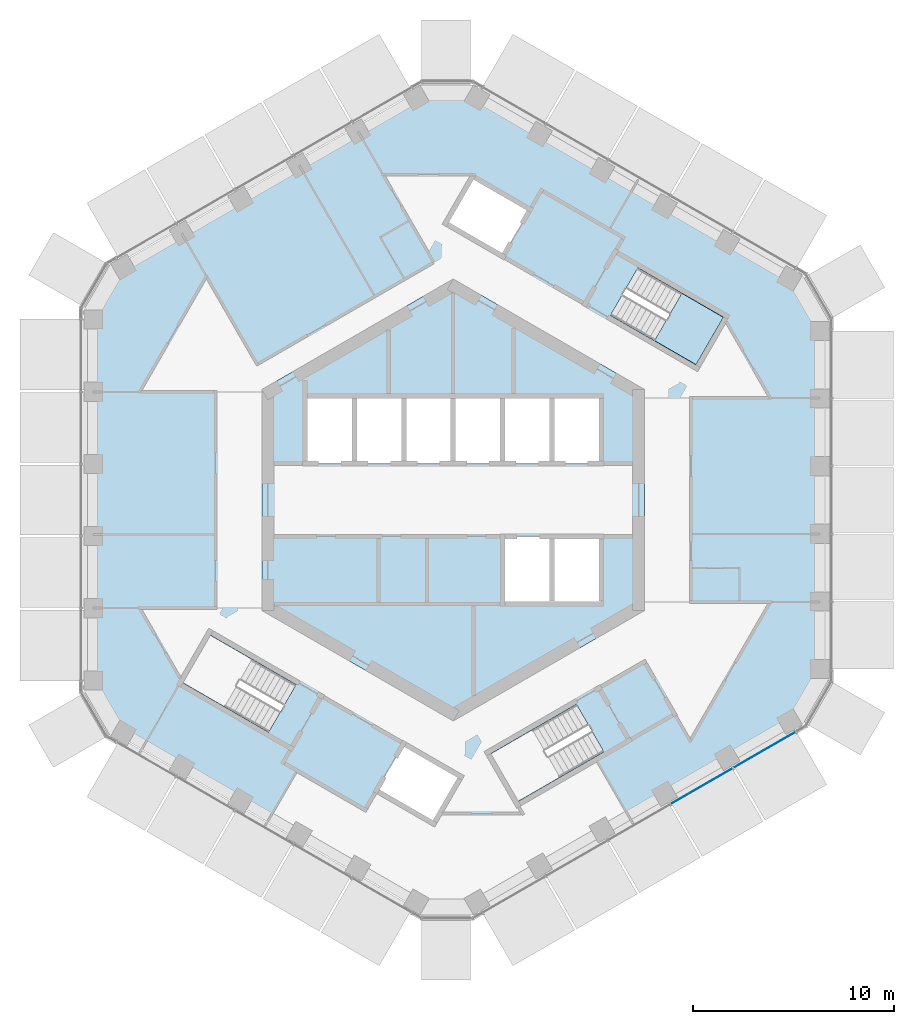
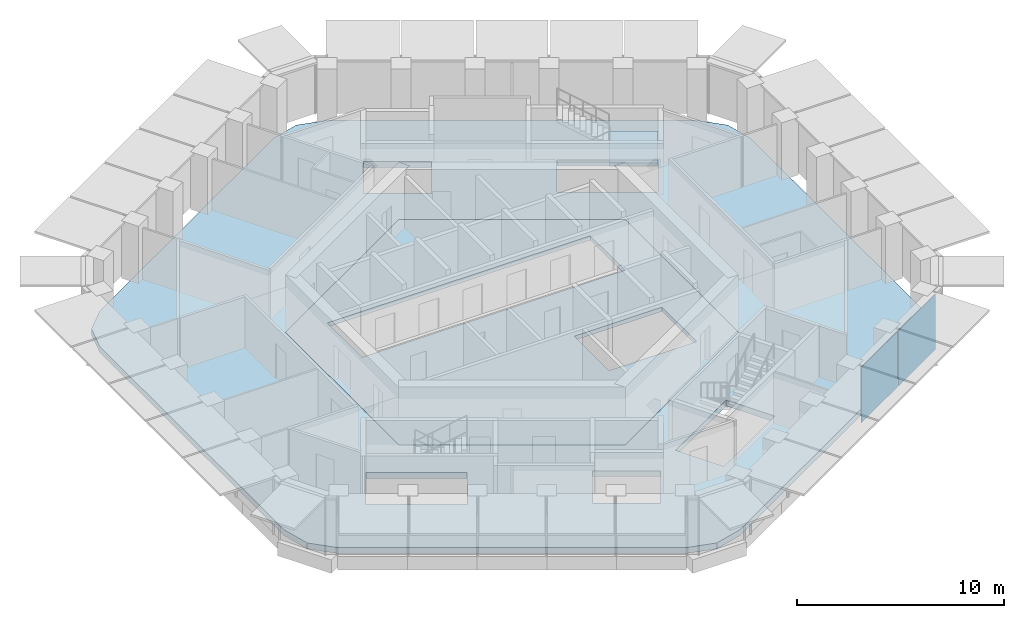
# One storey, part 10 of 18: 3 slabs, 2 plates, 2 elements without a shape of their own.
"""IFC4 building model written with IfcOpenShell, lengths in metres."""

from ifc_helpers import new_model, si_unit, direction, frame, origin, origin_2d, place, context, subcontext, project, spatial, polyline, rectangle, outline, extrude, material, layer, layer_set, type_object, element, aggregate, save


model = new_model("IFC4")

# Units and contexts
model_context = context("Model", 3, precision=1e-05, world=origin(), true_north=direction((0.0, 1.0)))
body_context = subcontext(model_context, "Body", "Model", "MODEL_VIEW")
ifc_project = project(units=[si_unit("LENGTHUNIT", "METRE"), si_unit("AREAUNIT", "SQUARE_METRE"), si_unit("VOLUMEUNIT", "CUBIC_METRE"), si_unit("PLANEANGLEUNIT", "RADIAN"), si_unit("MASSUNIT", "GRAM", prefix="KILO")], contexts=[model_context])

# Site, building, storey
site_placement = place(None, origin())
site = spatial("IfcSite", under=ifc_project, at=site_placement, CompositionType="ELEMENT")
building_placement = place(site_placement, origin())
building = spatial("IfcBuilding", under=site, at=building_placement, Name="Ayvan Gate Tower", CompositionType="ELEMENT")
storey_placement = place(building_placement, frame((0.0, 0.0, 169.699951171875)))
storey = spatial("IfcBuildingStorey", under=building, at=storey_placement, Name="L45", CompositionType="ELEMENT", Elevation=169.699951171875)

# Slabs
ifc_material_1 = material(Name="Concrete C40/50", Category="concrete")
ifc_layer_1 = layer(ifc_material_1, 0.35009765625)
ifc_layer_set_1 = layer_set([ifc_layer_1], Name="Concrete C40/50")
slab_type_1 = type_object("IfcSlabType", Name="Post-tensioned flat slab 350", PredefinedType="FLOOR", material=ifc_layer_set_1)
slab_1_placement = place(storey_placement, frame((0.0, 0.0, -0.349853515625)))
element("IfcSlab", 1, at=slab_1_placement, inside=storey, type_object=slab_type_1, Name="SL-L45", PredefinedType="FLOOR", context=body_context, shape_type="SweptSolid", body=[
    extrude(outline(polyline([(1.203369140625, -19.962646484375), (-0.296630859375, -20.364501953125), (-1.796630859375, -19.962646484375), (-16.389892578125, -11.537353515625), (-17.48779296875, -10.439208984375), (-17.889892578125, -8.939208984375), (-17.889892578125, 8.939208984375), (-17.48779296875, 10.439208984375), (-16.389892578125, 11.537353515625), (-1.796630859375, 19.962646484375), (-0.296630859375, 20.364501953125), (1.203369140625, 19.962646484375), (16.6865234375, 11.0234375), (17.78466796875, 9.92529296875), (18.1865234375, 8.42529296875), (18.1865234375, -8.42529296875), (17.78466796875, -9.92529296875), (16.6865234375, -11.0234375), (1.203369140625, -19.962646484375)]), holes=[polyline([(12.049560546875, 6.720458984375), (13.404541015625, 9.0673828125), (9.1611328125, 11.517578125), (7.80615234375, 9.170654296875), (12.049560546875, 6.720458984375)]), polyline([(9.5, 5.48486328125), (0.0, 10.9697265625), (-9.5, 5.48486328125), (-9.5, -5.48486328125), (0.0, -10.9697265625), (9.5, -5.48486328125), (9.5, 5.48486328125)]), polyline([(1.873779296875, -12.595458984375), (3.228759765625, -14.9423828125), (7.472412109375, -12.492431640625), (6.117431640625, -10.1455078125), (1.873779296875, -12.595458984375)]), polyline([(3.822509765625, 14.420654296875), (0.964599609375, 16.07080078125), (-0.385498046875, 13.732421875), (2.472412109375, 12.08251953125), (3.822509765625, 14.420654296875)]), polyline([(-0.67236328125, -15.564697265625), (0.385498046875, -13.732421875), (-2.472412109375, -12.08251953125), (-3.822509765625, -14.420654296875), (-0.964599609375, -16.07080078125), (-0.67236328125, -15.564697265625)]), polyline([(-9.1611328125, -11.517578125), (-7.80615234375, -9.170654296875), (-12.049560546875, -6.720458984375), (-13.404541015625, -9.0673828125), (-9.1611328125, -11.517578125)])]), origin(), (0.0, 0.0, 1.0), 0.349853515625),
])
ifc_layer_2 = layer(ifc_material_1, 0.25)
ifc_layer_set_2 = layer_set([ifc_layer_2], Name="Concrete C40/50")
slab_type_2 = type_object("IfcSlabType", Name="SL-CORE-250", PredefinedType="FLOOR", material=ifc_layer_set_2)
slab_2_placement = place(storey_placement, frame((0.0, 0.0, -0.25)))
element("IfcSlab", 2, at=slab_2_placement, inside=storey, type_object=slab_type_2, Name="CS-L45", PredefinedType="FLOOR", context=body_context, shape_type="SweptSolid", body=[
    extrude(outline(polyline([(9.5, -5.48486328125), (0.0, -10.9697265625), (-9.5, -5.48486328125), (-9.5, 5.48486328125), (0.0, 10.9697265625), (9.5, 5.48486328125), (9.5, -5.48486328125)]), holes=[polyline([(-7.35009765625, 5.14990234375), (-7.35009765625, 1.800048828125), (7.35009765625, 1.800048828125), (7.35009765625, 5.14990234375), (-7.35009765625, 5.14990234375)]), polyline([(2.449951171875, -1.800048828125), (2.449951171875, -5.14990234375), (7.35009765625, -5.14990234375), (7.35009765625, -1.800048828125), (2.449951171875, -1.800048828125)])]), origin(), (0.0, 0.0, 1.0), 0.25),
])

# Stair, slab
stair_type = type_object("IfcStairType", Name="ST-EXIT", PredefinedType="HALF_TURN_STAIR", material=ifc_material_1)
stair_placement = place(storey_placement, origin())
stair = element("IfcStair", 3, at=stair_placement, inside=storey, type_object=stair_type, Name="L45 Exit Stair S1", PredefinedType="HALF_TURN_STAIR")
ifc_layer_3 = layer(ifc_material_1, 0.199951171875)
ifc_layer_set_3 = layer_set([ifc_layer_3], Name="Concrete C40/50")
slab_type_3 = type_object("IfcSlabType", Name="SL-LANDING-200", PredefinedType="LANDING", material=ifc_layer_set_3)
slab_3_placement = place(storey_placement, frame((0.0, 0.0, 1.5)))
slab_3 = element("IfcSlab", 4, at=slab_3_placement, type_object=slab_type_3, Name="STS1 landing 1", PredefinedType="LANDING", context=body_context, shape_type="SweptSolid", body=[
    extrude(outline(polyline([(9.988525390625, 7.91064453125), (12.049560546875, 6.720458984375), (13.404541015625, 9.0673828125), (11.343505859375, 10.257568359375), (9.988525390625, 7.91064453125)])), origin(), (0.0, 0.0, 1.0), 0.199951171875),
])
aggregate(stair, [slab_3])

# Curtain wall, plates
ifc_material_2 = material(Name="Bronze anodised aluminium", Category="aluminium")
ifc_layer_4 = layer(ifc_material_2, 0.199951171875)
ifc_layer_set_4 = layer_set([ifc_layer_4], Name="Bronze anodised aluminium")
curtain_wall_type = type_object("IfcCurtainWallType", Name="Stick curtain wall CW-2", PredefinedType="NOTDEFINED", material=ifc_layer_set_4)
curtain_wall_placement = place(storey_placement, origin())
curtain_wall = element("IfcCurtainWall", 5, at=curtain_wall_placement, inside=storey, type_object=curtain_wall_type, Name="Stick curtain wall CW-2 L45", PredefinedType="NOTDEFINED")
ifc_material_3 = material(Name="Clear low-iron laminated glass", Category="glass")
ifc_layer_5 = layer(ifc_material_3, 0.028076171875)
ifc_layer_set_5 = layer_set([ifc_layer_5], Name="Clear low-iron laminated glass")
plate_type = type_object("IfcPlateType", Name="Stick curtain wall CW-2 glass panel", PredefinedType="CURTAIN_PANEL", material=ifc_layer_set_5)
plate_1_placement = place(storey_placement, frame((12.3349609375, -14.19970703125, 0.0), z_axis=(0.0, 0.0, 1.0), x_axis=(0.866025403784, 0.5, 0.0)))
plate_1 = element("IfcPlate", 6, at=plate_1_placement, type_object=plate_type, Name="CW-2 glass panel 4", PredefinedType="CURTAIN_PANEL", context=body_context, shape_type="SweptSolid", body=[
    extrude(rectangle(XDim=3.512939453125, YDim=0.028076171875, at=origin_2d()), origin(), (0.0, 0.0, 1.0), 3.280029296875),
])
plate_2_placement = place(storey_placement, frame((15.463134765625, -12.393798828125, 0.0), z_axis=(0.0, 0.0, 1.0), x_axis=(0.866025403784, 0.5, 0.0)))
plate_2 = element("IfcPlate", 7, at=plate_2_placement, type_object=plate_type, Name="CW-2 glass panel 5", PredefinedType="CURTAIN_PANEL", context=body_context, shape_type="SweptSolid", body=[
    extrude(rectangle(XDim=3.571044921875, YDim=0.028076171875, at=origin_2d()), origin(), (0.0, 0.0, 1.0), 3.280029296875),
])
aggregate(curtain_wall, [plate_1, plate_2])

save(model, "model.ifc")
